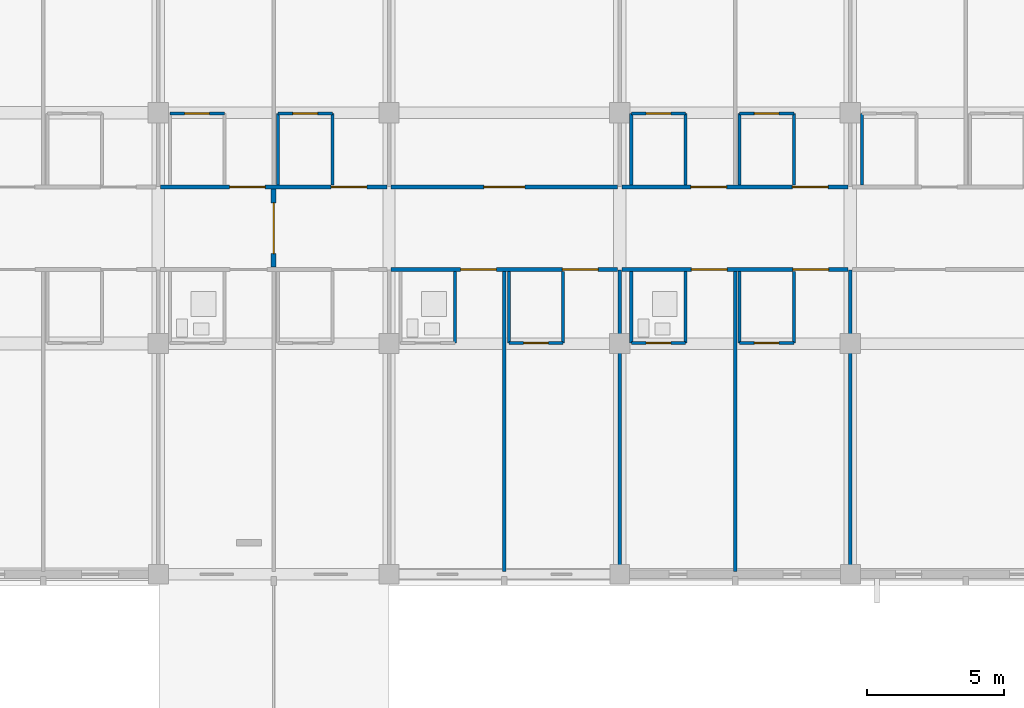
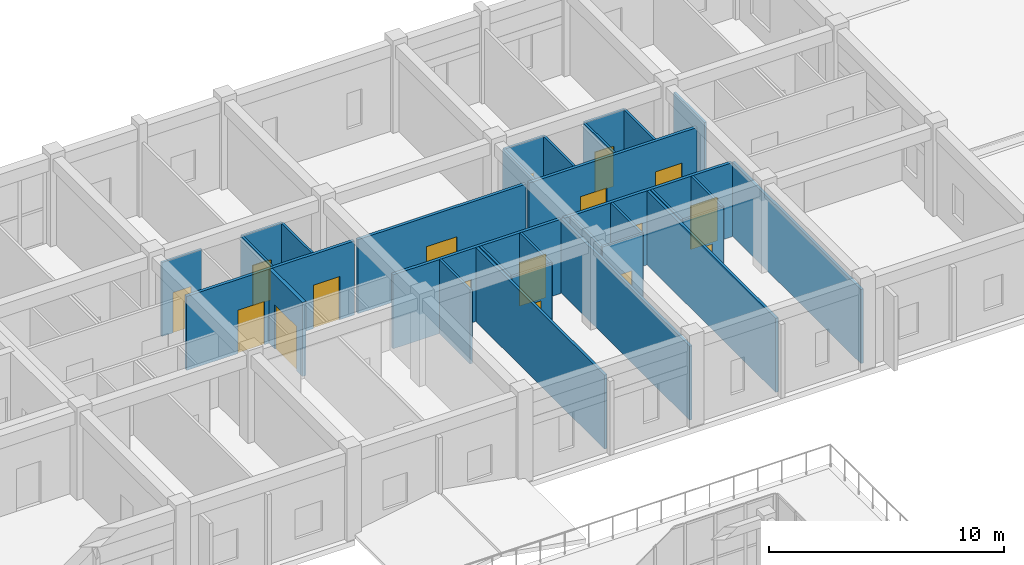
# One storey, part 133 of 158: 31 walls, 17 doors, 17 openings.
"""IFC4 building model written with IfcOpenShell, lengths in metres."""

from ifc_helpers import new_model, si_unit, direction, frame, frame_2d, origin, place, context, subcontext, project, spatial, rectangle, extrude, material, layer, layer_set, type_object, element, fill, save


model = new_model("IFC4")

# Units and contexts
model_context = context("Model", 3, precision=1e-05, world=origin(), true_north=direction((0.0, 1.0)))
body_context = subcontext(model_context, "Body", "Model", "MODEL_VIEW")
ifc_project = project(units=[si_unit("LENGTHUNIT", "METRE"), si_unit("AREAUNIT", "SQUARE_METRE"), si_unit("VOLUMEUNIT", "CUBIC_METRE"), si_unit("PLANEANGLEUNIT", "RADIAN"), si_unit("MASSUNIT", "GRAM", prefix="KILO")], contexts=[model_context])

# Site, building, storey
site_placement = place(None, origin())
site = spatial("IfcSite", under=ifc_project, at=site_placement, CompositionType="ELEMENT")
building_placement = place(site_placement, origin())
building = spatial("IfcBuilding", under=site, at=building_placement, Name="Trelvath General Hospital", CompositionType="ELEMENT")
storey_placement = place(building_placement, frame((0.0, 0.0, 8.10009765625)))
storey = spatial("IfcBuildingStorey", under=building, at=storey_placement, Name="L02", CompositionType="ELEMENT", Elevation=8.10009765625)

# Wall, openings, doors
ifc_material_1 = material(Name="Gypsum acoustic steel-stud partition", Category="steel")
ifc_layer_1 = layer(ifc_material_1, 0.14990234375)
ifc_layer_set_1 = layer_set([ifc_layer_1], Name="Gypsum acoustic steel-stud partition")
wall_type_1 = type_object("IfcWallType", Name="ClinicalPartition 150", PredefinedType="PARTITIONING", material=ifc_layer_set_1)
wall_1_placement = place(storey_placement, frame((109.1201171875, 106.5, 0.0), z_axis=(0.0, 0.0, 1.0), x_axis=(-1.0, 0.0, 0.0)))
wall_1 = element("IfcWall", 1, at=wall_1_placement, inside=storey, type_object=wall_type_1, Name="Corridor Partition N L02-976", PredefinedType="PARTITIONING", context=body_context, shape_type="SweptSolid", body=[
    extrude(rectangle(XDim=8.240234375, YDim=0.14990234375, at=frame_2d((4.1201171875, 0.0))), origin(), (0.0, 0.0, 1.0), 3.83984375),
])
opening_1_placement = place(wall_1_placement, frame((0.72998046875, 0.0, 0.0)))
opening_1 = element("IfcOpeningElement", 2, at=opening_1_placement, cuts=wall_1, Name="Opening D-2-0773", PredefinedType="OPENING", context=body_context, shape_type="SweptSolid", body=[
    extrude(rectangle(XDim=1.300048828125, YDim=2.25, at=frame_2d((0.64990234375, 1.125))), frame((0.0, 0.0849609375, 0.0), z_axis=(0.0, -1.0, 0.0), x_axis=(1.0, 0.0, 0.0)), (0.0, 0.0, 1.0), 0.169921875),
])
opening_2_placement = place(wall_1_placement, frame((4.429931640625, 0.0, 0.0)))
opening_2 = element("IfcOpeningElement", 3, at=opening_2_placement, cuts=wall_1, Name="Opening D-2-0774", PredefinedType="OPENING", context=body_context, shape_type="SweptSolid", body=[
    extrude(rectangle(XDim=1.300048828125, YDim=2.25, at=frame_2d((0.64990234375, 1.125))), frame((0.0, 0.0849609375, 0.0), z_axis=(0.0, -1.0, 0.0), x_axis=(1.0, 0.0, 0.0)), (0.0, 0.0, 1.0), 0.169921875),
])
ifc_material_2 = material(Name="Hospital bed-leaf timber door", Category="wood")
door_type_1 = type_object("IfcDoorType", Name="Door PatientBed 1300x2250", OperationType="NOTDEFINED", PredefinedType="DOOR", material=ifc_material_2)
door_1_placement = place(opening_1_placement, origin())
door_1 = element("IfcDoor", 4, at=door_1_placement, inside=storey, type_object=door_type_1, Name="Patient Room Door N L02-773", OperationType="SINGLE_SWING_LEFT", OverallHeight=2.25, OverallWidth=1.300048828125, PredefinedType="DOOR", context=body_context, shape_type="SweptSolid", body=[
    extrude(rectangle(XDim=1.300048828125, YDim=2.25, at=frame_2d((0.64990234375, 1.125))), frame((0.0, 0.02490234375, 0.0), z_axis=(0.0, -1.0, 0.0), x_axis=(1.0, 0.0, 0.0)), (0.0, 0.0, 1.0), 0.050048828125),
])
fill(opening_1, door_1)
door_2_placement = place(opening_2_placement, origin())
door_2 = element("IfcDoor", 5, at=door_2_placement, inside=storey, type_object=door_type_1, Name="Patient Room Door N L02-774", OperationType="SINGLE_SWING_LEFT", OverallHeight=2.25, OverallWidth=1.300048828125, PredefinedType="DOOR", context=body_context, shape_type="SweptSolid", body=[
    extrude(rectangle(XDim=1.300048828125, YDim=2.25, at=frame_2d((0.64990234375, 1.125))), frame((0.0, 0.02490234375, 0.0), z_axis=(0.0, -1.0, 0.0), x_axis=(1.0, 0.0, 0.0)), (0.0, 0.0, 1.0), 0.050048828125),
])
fill(opening_2, door_2)

wall_2_placement = place(storey_placement, frame((109.280029296875, 103.5, 0.0), z_axis=(0.0, 0.0, 1.0), x_axis=(1.0, 0.0, 0.0)))
wall_2 = element("IfcWall", 6, at=wall_2_placement, inside=storey, type_object=wall_type_1, Name="Corridor Partition L02-987", PredefinedType="PARTITIONING", context=body_context, shape_type="SweptSolid", body=[
    extrude(rectangle(XDim=8.239990234375, YDim=0.14990234375, at=frame_2d((4.1201171875, 0.0))), origin(), (0.0, 0.0, 1.0), 3.83984375),
])
opening_3_placement = place(wall_2_placement, frame((2.530029296875, 0.0, 0.0)))
opening_3 = element("IfcOpeningElement", 7, at=opening_3_placement, cuts=wall_2, Name="Opening D-2-0778", PredefinedType="OPENING", context=body_context, shape_type="SweptSolid", body=[
    extrude(rectangle(XDim=1.300048828125, YDim=2.25, at=frame_2d((0.64990234375, 1.125))), frame((0.0, 0.0849609375, 0.0), z_axis=(0.0, -1.0, 0.0), x_axis=(1.0, 0.0, 0.0)), (0.0, 0.0, 1.0), 0.169921875),
])
opening_4_placement = place(wall_2_placement, frame((6.22998046875, 0.0, 0.0)))
opening_4 = element("IfcOpeningElement", 8, at=opening_4_placement, cuts=wall_2, Name="Opening D-2-0779", PredefinedType="OPENING", context=body_context, shape_type="SweptSolid", body=[
    extrude(rectangle(XDim=1.300048828125, YDim=2.25, at=frame_2d((0.64990234375, 1.125))), frame((0.0, 0.0849609375, 0.0), z_axis=(0.0, -1.0, 0.0), x_axis=(1.0, 0.0, 0.0)), (0.0, 0.0, 1.0), 0.169921875),
])
door_3_placement = place(opening_3_placement, origin())
door_3 = element("IfcDoor", 9, at=door_3_placement, inside=storey, type_object=door_type_1, Name="Patient Room Door L02-778", OperationType="SINGLE_SWING_RIGHT", OverallHeight=2.25, OverallWidth=1.300048828125, PredefinedType="DOOR", context=body_context, shape_type="SweptSolid", body=[
    extrude(rectangle(XDim=1.300048828125, YDim=2.25, at=frame_2d((0.64990234375, 1.125))), frame((0.0, 0.02490234375, 0.0), z_axis=(0.0, -1.0, 0.0), x_axis=(1.0, 0.0, 0.0)), (0.0, 0.0, 1.0), 0.050048828125),
])
fill(opening_3, door_3)
door_4_placement = place(opening_4_placement, origin())
door_4 = element("IfcDoor", 10, at=door_4_placement, inside=storey, type_object=door_type_1, Name="Patient Room Door L02-779", OperationType="SINGLE_SWING_LEFT", OverallHeight=2.25, OverallWidth=1.300048828125, PredefinedType="DOOR", context=body_context, shape_type="SweptSolid", body=[
    extrude(rectangle(XDim=1.300048828125, YDim=2.25, at=frame_2d((0.64990234375, 1.125))), frame((0.0, 0.02490234375, 0.0), z_axis=(0.0, -1.0, 0.0), x_axis=(1.0, 0.0, 0.0)), (0.0, 0.0, 1.0), 0.050048828125),
])
fill(opening_4, door_4)

# Wall, opening, door
wall_3_placement = place(storey_placement, frame((117.52001953125, 106.5, 0.0), z_axis=(0.0, 0.0, 1.0), x_axis=(-1.0, 0.0, 0.0)))
wall_3 = element("IfcWall", 11, at=wall_3_placement, inside=storey, type_object=wall_type_1, Name="Corridor Partition N L02-995", PredefinedType="PARTITIONING", context=body_context, shape_type="SweptSolid", body=[
    extrude(rectangle(XDim=8.239990234375, YDim=0.14990234375, at=frame_2d((4.1201171875, 0.0))), origin(), (0.0, 0.0, 1.0), 3.83984375),
])
opening_5_placement = place(wall_3_placement, frame((3.3701171875, 0.0, 0.0)))
opening_5 = element("IfcOpeningElement", 12, at=opening_5_placement, cuts=wall_3, Name="Opening D-2-0782", PredefinedType="OPENING", context=body_context, shape_type="SweptSolid", body=[
    extrude(rectangle(XDim=1.5, YDim=2.300048828125, at=frame_2d((0.75, 1.14990234375))), frame((0.0, 0.0849609375, 0.0), z_axis=(0.0, -1.0, 0.0), x_axis=(1.0, 0.0, 0.0)), (0.0, 0.0, 1.0), 0.169921875),
])
ifc_material_3 = material(Name="Glazed aluminium ICU sliding door", Category="aluminium")
door_type_2 = type_object("IfcDoorType", Name="Door ICUSliding 1500x2300", OperationType="SLIDING_TO_LEFT", PredefinedType="DOOR", material=ifc_material_3)
door_5_placement = place(opening_5_placement, origin())
door_5 = element("IfcDoor", 13, at=door_5_placement, inside=storey, type_object=door_type_2, Name="Clinical Room Door L02-782", OperationType="SLIDING_TO_LEFT", OverallHeight=2.300048828125, OverallWidth=1.5, PredefinedType="DOOR", context=body_context, shape_type="SweptSolid", body=[
    extrude(rectangle(XDim=1.5, YDim=2.300048828125, at=frame_2d((0.75, 1.14990234375))), frame((0.0, 0.02490234375, 0.0), z_axis=(0.0, -1.0, 0.0), x_axis=(1.0, 0.0, 0.0)), (0.0, 0.0, 1.0), 0.050048828125),
])
fill(opening_5, door_5)

# Wall, openings, doors
wall_4_placement = place(storey_placement, frame((117.679931640625, 103.5, 0.0), z_axis=(0.0, 0.0, 1.0), x_axis=(1.0, 0.0, 0.0)))
wall_4 = element("IfcWall", 14, at=wall_4_placement, inside=storey, type_object=wall_type_1, Name="Corridor Partition L02-998", PredefinedType="PARTITIONING", context=body_context, shape_type="SweptSolid", body=[
    extrude(rectangle(XDim=8.239990234375, YDim=0.14990234375, at=frame_2d((4.1201171875, 0.0))), origin(), (0.0, 0.0, 1.0), 3.83984375),
])
opening_6_placement = place(wall_4_placement, frame((2.530029296875, 0.0, 0.0)))
opening_6 = element("IfcOpeningElement", 15, at=opening_6_placement, cuts=wall_4, Name="Opening D-2-0783", PredefinedType="OPENING", context=body_context, shape_type="SweptSolid", body=[
    extrude(rectangle(XDim=1.300048828125, YDim=2.25, at=frame_2d((0.64990234375, 1.125))), frame((0.0, 0.0849609375, 0.0), z_axis=(0.0, -1.0, 0.0), x_axis=(1.0, 0.0, 0.0)), (0.0, 0.0, 1.0), 0.169921875),
])
opening_7_placement = place(wall_4_placement, frame((6.22998046875, 0.0, 0.0)))
opening_7 = element("IfcOpeningElement", 16, at=opening_7_placement, cuts=wall_4, Name="Opening D-2-0784", PredefinedType="OPENING", context=body_context, shape_type="SweptSolid", body=[
    extrude(rectangle(XDim=1.300048828125, YDim=2.25, at=frame_2d((0.64990234375, 1.125))), frame((0.0, 0.0849609375, 0.0), z_axis=(0.0, -1.0, 0.0), x_axis=(1.0, 0.0, 0.0)), (0.0, 0.0, 1.0), 0.169921875),
])
door_6_placement = place(opening_6_placement, origin())
door_6 = element("IfcDoor", 17, at=door_6_placement, inside=storey, type_object=door_type_1, Name="Patient Room Door L02-783", OperationType="SINGLE_SWING_RIGHT", OverallHeight=2.25, OverallWidth=1.300048828125, PredefinedType="DOOR", context=body_context, shape_type="SweptSolid", body=[
    extrude(rectangle(XDim=1.300048828125, YDim=2.25, at=frame_2d((0.64990234375, 1.125))), frame((0.0, 0.02490234375, 0.0), z_axis=(0.0, -1.0, 0.0), x_axis=(1.0, 0.0, 0.0)), (0.0, 0.0, 1.0), 0.050048828125),
])
fill(opening_6, door_6)
door_7_placement = place(opening_7_placement, origin())
door_7 = element("IfcDoor", 18, at=door_7_placement, inside=storey, type_object=door_type_1, Name="Patient Room Door L02-784", OperationType="SINGLE_SWING_LEFT", OverallHeight=2.25, OverallWidth=1.300048828125, PredefinedType="DOOR", context=body_context, shape_type="SweptSolid", body=[
    extrude(rectangle(XDim=1.300048828125, YDim=2.25, at=frame_2d((0.64990234375, 1.125))), frame((0.0, 0.02490234375, 0.0), z_axis=(0.0, -1.0, 0.0), x_axis=(1.0, 0.0, 0.0)), (0.0, 0.0, 1.0), 0.050048828125),
])
fill(opening_7, door_7)

wall_5_placement = place(storey_placement, frame((125.919921875, 106.5, 0.0), z_axis=(0.0, 0.0, 1.0), x_axis=(-1.0, 0.0, 0.0)))
wall_5 = element("IfcWall", 19, at=wall_5_placement, inside=storey, type_object=wall_type_1, Name="Corridor Partition N L02-1006", PredefinedType="PARTITIONING", context=body_context, shape_type="SweptSolid", body=[
    extrude(rectangle(XDim=8.239990234375, YDim=0.14990234375, at=frame_2d((4.1201171875, 0.0))), origin(), (0.0, 0.0, 1.0), 3.83984375),
])
opening_8_placement = place(wall_5_placement, frame((0.72998046875, 0.0, 0.0)))
opening_8 = element("IfcOpeningElement", 20, at=opening_8_placement, cuts=wall_5, Name="Opening D-2-0787", PredefinedType="OPENING", context=body_context, shape_type="SweptSolid", body=[
    extrude(rectangle(XDim=1.300048828125, YDim=2.25, at=frame_2d((0.64990234375, 1.125))), frame((0.0, 0.0849609375, 0.0), z_axis=(0.0, -1.0, 0.0), x_axis=(1.0, 0.0, 0.0)), (0.0, 0.0, 1.0), 0.169921875),
])
opening_9_placement = place(wall_5_placement, frame((4.429931640625, 0.0, 0.0)))
opening_9 = element("IfcOpeningElement", 21, at=opening_9_placement, cuts=wall_5, Name="Opening D-2-0788", PredefinedType="OPENING", context=body_context, shape_type="SweptSolid", body=[
    extrude(rectangle(XDim=1.300048828125, YDim=2.25, at=frame_2d((0.64990234375, 1.125))), frame((0.0, 0.0849609375, 0.0), z_axis=(0.0, -1.0, 0.0), x_axis=(1.0, 0.0, 0.0)), (0.0, 0.0, 1.0), 0.169921875),
])
door_8_placement = place(opening_8_placement, origin())
door_8 = element("IfcDoor", 22, at=door_8_placement, inside=storey, type_object=door_type_1, Name="Patient Room Door N L02-787", OperationType="SINGLE_SWING_RIGHT", OverallHeight=2.25, OverallWidth=1.300048828125, PredefinedType="DOOR", context=body_context, shape_type="SweptSolid", body=[
    extrude(rectangle(XDim=1.300048828125, YDim=2.25, at=frame_2d((0.64990234375, 1.125))), frame((0.0, 0.02490234375, 0.0), z_axis=(0.0, -1.0, 0.0), x_axis=(1.0, 0.0, 0.0)), (0.0, 0.0, 1.0), 0.050048828125),
])
fill(opening_8, door_8)
door_9_placement = place(opening_9_placement, origin())
door_9 = element("IfcDoor", 23, at=door_9_placement, inside=storey, type_object=door_type_1, Name="Patient Room Door N L02-788", OperationType="SINGLE_SWING_RIGHT", OverallHeight=2.25, OverallWidth=1.300048828125, PredefinedType="DOOR", context=body_context, shape_type="SweptSolid", body=[
    extrude(rectangle(XDim=1.300048828125, YDim=2.25, at=frame_2d((0.64990234375, 1.125))), frame((0.0, 0.02490234375, 0.0), z_axis=(0.0, -1.0, 0.0), x_axis=(1.0, 0.0, 0.0)), (0.0, 0.0, 1.0), 0.050048828125),
])
fill(opening_9, door_9)

# Wall, opening, door
ifc_material_4 = material(Name="Moisture-resistant tile partition")
ifc_layer_2 = layer(ifc_material_4, 0.110107421875)
ifc_layer_set_2 = layer_set([ifc_layer_2], Name="Moisture-resistant tile partition")
wall_type_2 = type_object("IfcWallType", Name="EnSuiteWetWall 110", PredefinedType="PARTITIONING", material=ifc_layer_set_2)
wall_6_placement = place(storey_placement, frame((101.219970703125, 109.179931640625, 0.0), z_axis=(0.0, 0.0, 1.0), x_axis=(1.0, 0.0, 0.0)))
wall_6 = element("IfcWall", 24, at=wall_6_placement, inside=storey, type_object=wall_type_2, Name="En-Suite Bathroom N Partition L02-980", PredefinedType="PARTITIONING", context=body_context, shape_type="SweptSolid", body=[
    extrude(rectangle(XDim=1.97998046875, YDim=0.110107421875, at=frame_2d((0.989990234375, 0.0))), origin(), (0.0, 0.0, 1.0), 3.83984375),
])
opening_10_placement = place(wall_6_placement, frame((0.5400390625, 0.0, 0.0)))
opening_10 = element("IfcOpeningElement", 25, at=opening_10_placement, cuts=wall_6, Name="Opening D-2-0775", PredefinedType="OPENING", context=body_context, shape_type="SweptSolid", body=[
    extrude(rectangle(XDim=0.89990234375, YDim=2.10009765625, at=frame_2d((0.449951171875, 1.050048828125))), frame((0.0, 0.06494140625, 0.0), z_axis=(0.0, -1.0, 0.0), x_axis=(1.0, 0.0, 0.0)), (0.0, 0.0, 1.0), 0.130126953125),
])
ifc_material_5 = material(Name="Moisture-sealed timber leaf", Category="wood")
door_type_3 = type_object("IfcDoorType", Name="Door EnSuite 900x2100", OperationType="NOTDEFINED", PredefinedType="DOOR", material=ifc_material_5)
door_10_placement = place(opening_10_placement, origin())
door_10 = element("IfcDoor", 26, at=door_10_placement, inside=storey, type_object=door_type_3, Name="En-Suite Bathroom N Door L02-775", OperationType="SINGLE_SWING_RIGHT", OverallHeight=2.10009765625, OverallWidth=0.89990234375, PredefinedType="DOOR", context=body_context, shape_type="SweptSolid", body=[
    extrude(rectangle(XDim=0.89990234375, YDim=2.10009765625, at=frame_2d((0.449951171875, 1.050048828125))), frame((0.0, 0.02490234375, 0.0), z_axis=(0.0, -1.0, 0.0), x_axis=(1.0, 0.0, 0.0)), (0.0, 0.0, 1.0), 0.050048828125),
])
fill(opening_10, door_10)

# Walls
for number, where, z_axis, x_axis, name in (
    (27, (105.159912109375, 106.570068359375, 0.0), (0.0, 0.0, 1.0), (0.0, 1.0, 0.0), "En-Suite W Wall N L02-981"),
    (28, (107.139892578125, 106.570068359375, 0.0), (0.0, 0.0, 1.0), (0.0, 1.0, 0.0), "En-Suite E Wall N L02-982"),
):
    element("IfcWall", number, at=place(storey_placement, frame(where, z_axis=z_axis, x_axis=x_axis)), inside=storey, type_object=wall_type_2, Name=name, PredefinedType="PARTITIONING", context=body_context, shape_type="SweptSolid", body=[
        extrude(rectangle(XDim=2.60986328125, YDim=0.110107421875, at=frame_2d((1.304931640625, 0.0))), origin(), (0.0, 0.0, 1.0), 3.83984375),
    ])

# Wall, opening, door
wall_7_placement = place(storey_placement, frame((105.159912109375, 109.179931640625, 0.0), z_axis=(0.0, 0.0, 1.0), x_axis=(1.0, 0.0, 0.0)))
wall_7 = element("IfcWall", 29, at=wall_7_placement, inside=storey, type_object=wall_type_2, Name="En-Suite Bathroom N Partition L02-983", PredefinedType="PARTITIONING", context=body_context, shape_type="SweptSolid", body=[
    extrude(rectangle(XDim=1.97998046875, YDim=0.110107421875, at=frame_2d((0.989990234375, 0.0))), origin(), (0.0, 0.0, 1.0), 3.83984375),
])
opening_11_placement = place(wall_7_placement, frame((0.5400390625, 0.0, 0.0)))
opening_11 = element("IfcOpeningElement", 30, at=opening_11_placement, cuts=wall_7, Name="Opening D-2-0776", PredefinedType="OPENING", context=body_context, shape_type="SweptSolid", body=[
    extrude(rectangle(XDim=0.89990234375, YDim=2.10009765625, at=frame_2d((0.449951171875, 1.050048828125))), frame((0.0, 0.06494140625, 0.0), z_axis=(0.0, -1.0, 0.0), x_axis=(1.0, 0.0, 0.0)), (0.0, 0.0, 1.0), 0.130126953125),
])
door_11_placement = place(opening_11_placement, origin())
door_11 = element("IfcDoor", 31, at=door_11_placement, inside=storey, type_object=door_type_3, Name="En-Suite Bathroom N Door L02-776", OperationType="SINGLE_SWING_LEFT", OverallHeight=2.10009765625, OverallWidth=0.89990234375, PredefinedType="DOOR", context=body_context, shape_type="SweptSolid", body=[
    extrude(rectangle(XDim=0.89990234375, YDim=2.10009765625, at=frame_2d((0.449951171875, 1.050048828125))), frame((0.0, 0.02490234375, 0.0), z_axis=(0.0, -1.0, 0.0), x_axis=(1.0, 0.0, 0.0)), (0.0, 0.0, 1.0), 0.050048828125),
])
fill(opening_11, door_11)

# Walls
for number, where, z_axis, x_axis, name in (
    (32, (111.60009765625, 100.820068359375, 0.0), (0.0, 0.0, 1.0), (0.0, 1.0, 0.0), "En-Suite E Wall L02-990"),
    (33, (113.56005859375, 100.820068359375, 0.0), (0.0, 0.0, 1.0), (0.0, 1.0, 0.0), "En-Suite W Wall L02-992"),
    (34, (115.5400390625, 100.820068359375, 0.0), (0.0, 0.0, 1.0), (0.0, 1.0, 0.0), "En-Suite E Wall L02-993"),
):
    element("IfcWall", number, at=place(storey_placement, frame(where, z_axis=z_axis, x_axis=x_axis)), inside=storey, type_object=wall_type_2, Name=name, PredefinedType="PARTITIONING", context=body_context, shape_type="SweptSolid", body=[
        extrude(rectangle(XDim=2.60986328125, YDim=0.110107421875, at=frame_2d((1.304931640625, 0.0))), origin(), (0.0, 0.0, 1.0), 3.83984375),
    ])

# Wall, opening, door
wall_8_placement = place(storey_placement, frame((113.56005859375, 100.820068359375, 0.0), z_axis=(0.0, 0.0, 1.0), x_axis=(1.0, 0.0, 0.0)))
wall_8 = element("IfcWall", 35, at=wall_8_placement, inside=storey, type_object=wall_type_2, Name="En-Suite Bathroom Partition L02-994", PredefinedType="PARTITIONING", context=body_context, shape_type="SweptSolid", body=[
    extrude(rectangle(XDim=1.97998046875, YDim=0.110107421875, at=frame_2d((0.989990234375, 0.0))), origin(), (0.0, 0.0, 1.0), 3.83984375),
])
opening_12_placement = place(wall_8_placement, frame((0.5400390625, 0.0, 0.0)))
opening_12 = element("IfcOpeningElement", 36, at=opening_12_placement, cuts=wall_8, Name="Opening D-2-0781", PredefinedType="OPENING", context=body_context, shape_type="SweptSolid", body=[
    extrude(rectangle(XDim=0.89990234375, YDim=2.10009765625, at=frame_2d((0.449951171875, 1.050048828125))), frame((0.0, 0.06494140625, 0.0), z_axis=(0.0, -1.0, 0.0), x_axis=(1.0, 0.0, 0.0)), (0.0, 0.0, 1.0), 0.130126953125),
])
door_12_placement = place(opening_12_placement, origin())
door_12 = element("IfcDoor", 37, at=door_12_placement, inside=storey, type_object=door_type_3, Name="En-Suite Bathroom Door L02-781", OperationType="SINGLE_SWING_LEFT", OverallHeight=2.10009765625, OverallWidth=0.89990234375, PredefinedType="DOOR", context=body_context, shape_type="SweptSolid", body=[
    extrude(rectangle(XDim=0.89990234375, YDim=2.10009765625, at=frame_2d((0.449951171875, 1.050048828125))), frame((0.0, 0.02490234375, 0.0), z_axis=(0.0, -1.0, 0.0), x_axis=(1.0, 0.0, 0.0)), (0.0, 0.0, 1.0), 0.050048828125),
])
fill(opening_12, door_12)

# Walls
for number, where, z_axis, x_axis, name in (
    (38, (118.02001953125, 100.820068359375, 0.0), (0.0, 0.0, 1.0), (0.0, 1.0, 0.0), "En-Suite W Wall L02-1000"),
    (39, (120.0, 100.820068359375, 0.0), (0.0, 0.0, 1.0), (0.0, 1.0, 0.0), "En-Suite E Wall L02-1001"),
):
    element("IfcWall", number, at=place(storey_placement, frame(where, z_axis=z_axis, x_axis=x_axis)), inside=storey, type_object=wall_type_2, Name=name, PredefinedType="PARTITIONING", context=body_context, shape_type="SweptSolid", body=[
        extrude(rectangle(XDim=2.60986328125, YDim=0.110107421875, at=frame_2d((1.304931640625, 0.0))), origin(), (0.0, 0.0, 1.0), 3.83984375),
    ])

# Wall, opening, door
wall_9_placement = place(storey_placement, frame((118.02001953125, 100.820068359375, 0.0), z_axis=(0.0, 0.0, 1.0), x_axis=(1.0, 0.0, 0.0)))
wall_9 = element("IfcWall", 40, at=wall_9_placement, inside=storey, type_object=wall_type_2, Name="En-Suite Bathroom Partition L02-1002", PredefinedType="PARTITIONING", context=body_context, shape_type="SweptSolid", body=[
    extrude(rectangle(XDim=1.97998046875, YDim=0.110107421875, at=frame_2d((0.989990234375, 0.0))), origin(), (0.0, 0.0, 1.0), 3.83984375),
])
opening_13_placement = place(wall_9_placement, frame((0.5400390625, 0.0, 0.0)))
opening_13 = element("IfcOpeningElement", 41, at=opening_13_placement, cuts=wall_9, Name="Opening D-2-0785", PredefinedType="OPENING", context=body_context, shape_type="SweptSolid", body=[
    extrude(rectangle(XDim=0.89990234375, YDim=2.10009765625, at=frame_2d((0.449951171875, 1.050048828125))), frame((0.0, 0.06494140625, 0.0), z_axis=(0.0, -1.0, 0.0), x_axis=(1.0, 0.0, 0.0)), (0.0, 0.0, 1.0), 0.130126953125),
])
door_13_placement = place(opening_13_placement, origin())
door_13 = element("IfcDoor", 42, at=door_13_placement, inside=storey, type_object=door_type_3, Name="En-Suite Bathroom Door L02-785", OperationType="SINGLE_SWING_RIGHT", OverallHeight=2.10009765625, OverallWidth=0.89990234375, PredefinedType="DOOR", context=body_context, shape_type="SweptSolid", body=[
    extrude(rectangle(XDim=0.89990234375, YDim=2.10009765625, at=frame_2d((0.449951171875, 1.050048828125))), frame((0.0, 0.02490234375, 0.0), z_axis=(0.0, -1.0, 0.0), x_axis=(1.0, 0.0, 0.0)), (0.0, 0.0, 1.0), 0.050048828125),
])
fill(opening_13, door_13)

# Walls
for number, where, z_axis, x_axis, name in (
    (43, (121.9599609375, 100.820068359375, 0.0), (0.0, 0.0, 1.0), (0.0, 1.0, 0.0), "En-Suite W Wall L02-1003"),
    (44, (123.93994140625, 100.820068359375, 0.0), (0.0, 0.0, 1.0), (0.0, 1.0, 0.0), "En-Suite E Wall L02-1004"),
):
    element("IfcWall", number, at=place(storey_placement, frame(where, z_axis=z_axis, x_axis=x_axis)), inside=storey, type_object=wall_type_2, Name=name, PredefinedType="PARTITIONING", context=body_context, shape_type="SweptSolid", body=[
        extrude(rectangle(XDim=2.60986328125, YDim=0.110107421875, at=frame_2d((1.304931640625, 0.0))), origin(), (0.0, 0.0, 1.0), 3.83984375),
    ])

# Wall, opening, door
wall_10_placement = place(storey_placement, frame((121.9599609375, 100.820068359375, 0.0), z_axis=(0.0, 0.0, 1.0), x_axis=(1.0, 0.0, 0.0)))
wall_10 = element("IfcWall", 45, at=wall_10_placement, inside=storey, type_object=wall_type_2, Name="En-Suite Bathroom Partition L02-1005", PredefinedType="PARTITIONING", context=body_context, shape_type="SweptSolid", body=[
    extrude(rectangle(XDim=1.97998046875, YDim=0.110107421875, at=frame_2d((0.989990234375, 0.0))), origin(), (0.0, 0.0, 1.0), 3.83984375),
])
opening_14_placement = place(wall_10_placement, frame((0.5400390625, 0.0, 0.0)))
opening_14 = element("IfcOpeningElement", 46, at=opening_14_placement, cuts=wall_10, Name="Opening D-2-0786", PredefinedType="OPENING", context=body_context, shape_type="SweptSolid", body=[
    extrude(rectangle(XDim=0.89990234375, YDim=2.10009765625, at=frame_2d((0.449951171875, 1.050048828125))), frame((0.0, 0.06494140625, 0.0), z_axis=(0.0, -1.0, 0.0), x_axis=(1.0, 0.0, 0.0)), (0.0, 0.0, 1.0), 0.130126953125),
])
door_14_placement = place(opening_14_placement, origin())
door_14 = element("IfcDoor", 47, at=door_14_placement, inside=storey, type_object=door_type_3, Name="En-Suite Bathroom Door L02-786", OperationType="SINGLE_SWING_LEFT", OverallHeight=2.10009765625, OverallWidth=0.89990234375, PredefinedType="DOOR", context=body_context, shape_type="SweptSolid", body=[
    extrude(rectangle(XDim=0.89990234375, YDim=2.10009765625, at=frame_2d((0.449951171875, 1.050048828125))), frame((0.0, 0.02490234375, 0.0), z_axis=(0.0, -1.0, 0.0), x_axis=(1.0, 0.0, 0.0)), (0.0, 0.0, 1.0), 0.050048828125),
])
fill(opening_14, door_14)

# Walls
for number, where, z_axis, x_axis, name in (
    (48, (118.02001953125, 106.570068359375, 0.0), (0.0, 0.0, 1.0), (0.0, 1.0, 0.0), "En-Suite W Wall N L02-1008"),
    (49, (120.0, 106.570068359375, 0.0), (0.0, 0.0, 1.0), (0.0, 1.0, 0.0), "En-Suite E Wall N L02-1009"),
):
    element("IfcWall", number, at=place(storey_placement, frame(where, z_axis=z_axis, x_axis=x_axis)), inside=storey, type_object=wall_type_2, Name=name, PredefinedType="PARTITIONING", context=body_context, shape_type="SweptSolid", body=[
        extrude(rectangle(XDim=2.60986328125, YDim=0.110107421875, at=frame_2d((1.304931640625, 0.0))), origin(), (0.0, 0.0, 1.0), 3.83984375),
    ])

# Wall, opening, door
wall_11_placement = place(storey_placement, frame((118.02001953125, 109.179931640625, 0.0), z_axis=(0.0, 0.0, 1.0), x_axis=(1.0, 0.0, 0.0)))
wall_11 = element("IfcWall", 50, at=wall_11_placement, inside=storey, type_object=wall_type_2, Name="En-Suite Bathroom N Partition L02-1010", PredefinedType="PARTITIONING", context=body_context, shape_type="SweptSolid", body=[
    extrude(rectangle(XDim=1.97998046875, YDim=0.110107421875, at=frame_2d((0.989990234375, 0.0))), origin(), (0.0, 0.0, 1.0), 3.83984375),
])
opening_15_placement = place(wall_11_placement, frame((0.5400390625, 0.0, 0.0)))
opening_15 = element("IfcOpeningElement", 51, at=opening_15_placement, cuts=wall_11, Name="Opening D-2-0789", PredefinedType="OPENING", context=body_context, shape_type="SweptSolid", body=[
    extrude(rectangle(XDim=0.89990234375, YDim=2.10009765625, at=frame_2d((0.449951171875, 1.050048828125))), frame((0.0, 0.06494140625, 0.0), z_axis=(0.0, -1.0, 0.0), x_axis=(1.0, 0.0, 0.0)), (0.0, 0.0, 1.0), 0.130126953125),
])
door_15_placement = place(opening_15_placement, origin())
door_15 = element("IfcDoor", 52, at=door_15_placement, inside=storey, type_object=door_type_3, Name="En-Suite Bathroom N Door L02-789", OperationType="SINGLE_SWING_LEFT", OverallHeight=2.10009765625, OverallWidth=0.89990234375, PredefinedType="DOOR", context=body_context, shape_type="SweptSolid", body=[
    extrude(rectangle(XDim=0.89990234375, YDim=2.10009765625, at=frame_2d((0.449951171875, 1.050048828125))), frame((0.0, 0.02490234375, 0.0), z_axis=(0.0, -1.0, 0.0), x_axis=(1.0, 0.0, 0.0)), (0.0, 0.0, 1.0), 0.050048828125),
])
fill(opening_15, door_15)

# Walls
for number, where, z_axis, x_axis, name in (
    (53, (121.9599609375, 106.570068359375, 0.0), (0.0, 0.0, 1.0), (0.0, 1.0, 0.0), "En-Suite W Wall N L02-1011"),
    (54, (123.93994140625, 106.570068359375, 0.0), (0.0, 0.0, 1.0), (0.0, 1.0, 0.0), "En-Suite E Wall N L02-1012"),
):
    element("IfcWall", number, at=place(storey_placement, frame(where, z_axis=z_axis, x_axis=x_axis)), inside=storey, type_object=wall_type_2, Name=name, PredefinedType="PARTITIONING", context=body_context, shape_type="SweptSolid", body=[
        extrude(rectangle(XDim=2.60986328125, YDim=0.110107421875, at=frame_2d((1.304931640625, 0.0))), origin(), (0.0, 0.0, 1.0), 3.83984375),
    ])

# Wall, opening, door
wall_12_placement = place(storey_placement, frame((121.9599609375, 109.179931640625, 0.0), z_axis=(0.0, 0.0, 1.0), x_axis=(1.0, 0.0, 0.0)))
wall_12 = element("IfcWall", 55, at=wall_12_placement, inside=storey, type_object=wall_type_2, Name="En-Suite Bathroom N Partition L02-1013", PredefinedType="PARTITIONING", context=body_context, shape_type="SweptSolid", body=[
    extrude(rectangle(XDim=1.97998046875, YDim=0.110107421875, at=frame_2d((0.989990234375, 0.0))), origin(), (0.0, 0.0, 1.0), 3.83984375),
])
opening_16_placement = place(wall_12_placement, frame((0.5400390625, 0.0, 0.0)))
opening_16 = element("IfcOpeningElement", 56, at=opening_16_placement, cuts=wall_12, Name="Opening D-2-0790", PredefinedType="OPENING", context=body_context, shape_type="SweptSolid", body=[
    extrude(rectangle(XDim=0.89990234375, YDim=2.10009765625, at=frame_2d((0.449951171875, 1.050048828125))), frame((0.0, 0.06494140625, 0.0), z_axis=(0.0, -1.0, 0.0), x_axis=(1.0, 0.0, 0.0)), (0.0, 0.0, 1.0), 0.130126953125),
])
door_16_placement = place(opening_16_placement, origin())
door_16 = element("IfcDoor", 57, at=door_16_placement, inside=storey, type_object=door_type_3, Name="En-Suite Bathroom N Door L02-790", OperationType="SINGLE_SWING_RIGHT", OverallHeight=2.10009765625, OverallWidth=0.89990234375, PredefinedType="DOOR", context=body_context, shape_type="SweptSolid", body=[
    extrude(rectangle(XDim=0.89990234375, YDim=2.10009765625, at=frame_2d((0.449951171875, 1.050048828125))), frame((0.0, 0.02490234375, 0.0), z_axis=(0.0, -1.0, 0.0), x_axis=(1.0, 0.0, 0.0)), (0.0, 0.0, 1.0), 0.050048828125),
])
fill(opening_16, door_16)

# Wall
wall_13_placement = place(storey_placement, frame((126.419921875, 106.570068359375, 0.0), z_axis=(0.0, 0.0, 1.0), x_axis=(0.0, 1.0, 0.0)))
element("IfcWall", 58, at=wall_13_placement, inside=storey, type_object=wall_type_2, Name="En-Suite W Wall N L02-1019", PredefinedType="PARTITIONING", context=body_context, shape_type="SweptSolid", body=[
    extrude(rectangle(XDim=2.60986328125, YDim=0.110107421875, at=frame_2d((1.304931640625, 0.0))), origin(), (0.0, 0.0, 1.0), 3.83984375),
])

# Wall, opening, door
ifc_material_6 = material(Name="Masonry fire blockwork", Category="masonry")
ifc_layer_3 = layer(ifc_material_6, 0.179931640625)
ifc_layer_set_3 = layer_set([ifc_layer_3], Name="Masonry fire blockwork")
wall_type_3 = type_object("IfcWallType", Name="SmokeBarrierWall 180", PredefinedType="PARTITIONING", material=ifc_layer_set_3)
wall_14_placement = place(storey_placement, frame((105.0, 103.580078125, 0.0), z_axis=(0.0, 0.0, 1.0), x_axis=(0.0, 1.0, 0.0)))
wall_14 = element("IfcWall", 59, at=wall_14_placement, inside=storey, type_object=wall_type_3, Name="Smoke Compartment Barrier L02-984", PredefinedType="PARTITIONING", context=body_context, shape_type="SweptSolid", body=[
    extrude(rectangle(XDim=2.83984375, YDim=0.179931640625, at=frame_2d((1.419921875, 0.0))), origin(), (0.0, 0.0, 1.0), 3.83984375),
])
opening_17_placement = place(wall_14_placement, frame((0.4951171875, 0.0, 0.0)))
opening_17 = element("IfcOpeningElement", 60, at=opening_17_placement, cuts=wall_14, Name="Opening SD-2-0777", PredefinedType="OPENING", context=body_context, shape_type="SweptSolid", body=[
    extrude(rectangle(XDim=1.85009765625, YDim=2.300048828125, at=frame_2d((0.925048828125, 1.14990234375))), frame((0.0, 0.099853515625, 0.0), z_axis=(0.0, -1.0, 0.0), x_axis=(1.0, 0.0, 0.0)), (0.0, 0.0, 1.0), 0.199951171875),
])
ifc_material_7 = material(Name="Fire-rated steel cross-corridor pair", Category="steel")
door_type_4 = type_object("IfcDoorType", Name="Door SmokeCross 1850x2300", OperationType="DOUBLE_SWING_LEFT", PredefinedType="DOOR", material=ifc_material_7)
door_17_placement = place(opening_17_placement, origin())
door_17 = element("IfcDoor", 61, at=door_17_placement, inside=storey, type_object=door_type_4, Name="Cross-Corridor Smoke Door L02-777", OperationType="SLIDING_TO_LEFT", OverallHeight=2.300048828125, OverallWidth=1.85009765625, PredefinedType="DOOR", context=body_context, shape_type="SweptSolid", body=[
    extrude(rectangle(XDim=1.85009765625, YDim=2.300048828125, at=frame_2d((0.925048828125, 1.14990234375))), frame((0.0, 0.02490234375, 0.0), z_axis=(0.0, -1.0, 0.0), x_axis=(1.0, 0.0, 0.0)), (0.0, 0.0, 1.0), 0.050048828125),
])
fill(opening_17, door_17)

# Walls
ifc_material_8 = material(Name="Gypsum acoustic steel-stud partition", Category="steel")
ifc_layer_4 = layer(ifc_material_8, 0.1298828125)
ifc_layer_set_4 = layer_set([ifc_layer_4], Name="Gypsum acoustic steel-stud partition")
wall_type_4 = type_object("IfcWallType", Name="WardPartition 130", PredefinedType="PARTITIONING", material=ifc_layer_set_4)
wall_15_placement = place(storey_placement, frame((113.39990234375, 92.5, 0.0), z_axis=(0.0, 0.0, 1.0), x_axis=(0.0, 1.0, 0.0)))
element("IfcWall", 62, at=wall_15_placement, inside=storey, type_object=wall_type_4, Name="Room Dividing Partition S L02-988", PredefinedType="PARTITIONING", context=body_context, shape_type="SweptSolid", body=[
    extrude(rectangle(XDim=10.929931640625, YDim=0.1298828125, at=frame_2d((5.46484375, 0.0))), origin(), (0.0, 0.0, 1.0), 3.83984375),
])
wall_16_placement = place(storey_placement, frame((117.60009765625, 92.5400390625, 0.0), z_axis=(0.0, 0.0, 1.0), x_axis=(0.0, 1.0, 0.0)))
element("IfcWall", 63, at=wall_16_placement, inside=storey, type_object=wall_type_4, Name="Inter-Bay Ward Partition S L02-996", PredefinedType="PARTITIONING", context=body_context, shape_type="SweptSolid", body=[
    extrude(rectangle(XDim=10.93994140625, YDim=0.1298828125, at=frame_2d((5.469970703125, 0.0))), origin(), (0.0, 0.0, 1.0), 3.83984375),
])
wall_17_placement = place(storey_placement, frame((121.800048828125, 92.5, 0.0), z_axis=(0.0, 0.0, 1.0), x_axis=(0.0, 1.0, 0.0)))
element("IfcWall", 64, at=wall_17_placement, inside=storey, type_object=wall_type_4, Name="Room Dividing Partition S L02-999", PredefinedType="PARTITIONING", context=body_context, shape_type="SweptSolid", body=[
    extrude(rectangle(XDim=10.929931640625, YDim=0.1298828125, at=frame_2d((5.46484375, 0.0))), origin(), (0.0, 0.0, 1.0), 3.83984375),
])
wall_18_placement = place(storey_placement, frame((126.0, 92.5400390625, 0.0), z_axis=(0.0, 0.0, 1.0), x_axis=(0.0, 1.0, 0.0)))
element("IfcWall", 65, at=wall_18_placement, inside=storey, type_object=wall_type_4, Name="Inter-Bay Ward Partition S L02-1014", PredefinedType="PARTITIONING", context=body_context, shape_type="SweptSolid", body=[
    extrude(rectangle(XDim=10.93994140625, YDim=0.1298828125, at=frame_2d((5.469970703125, 0.0))), origin(), (0.0, 0.0, 1.0), 3.83984375),
])

save(model, "model.ifc")
